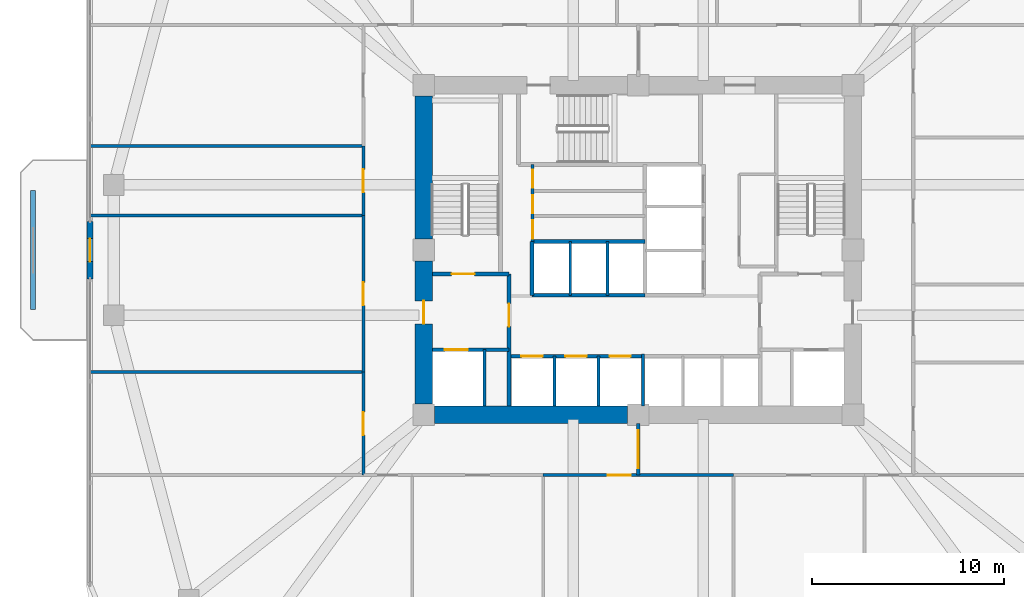
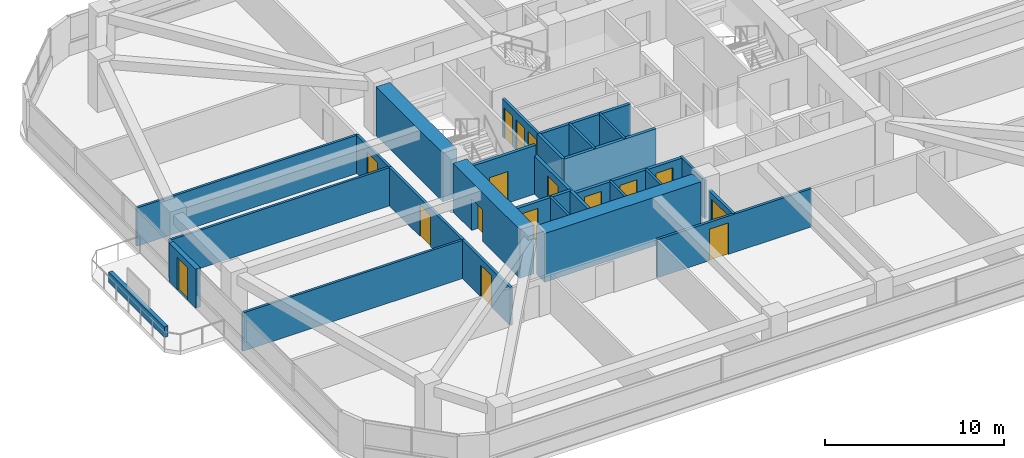
# One storey, part 10 of 15: 27 walls, 16 doors, 16 openings.
"""IFC4 building model written with IfcOpenShell, lengths in metres."""

from ifc_helpers import new_model, si_unit, derived_unit, direction, frame, frame_2d, origin, place, context, subcontext, project, spatial, rectangle, extrude, material, layer, layer_set, type_object, element, fill, save


model = new_model("IFC4")

# Units and contexts
model_context = context("Model", 3, precision=1e-05, world=origin(), true_north=direction((0.0, 1.0)))
body_context = subcontext(model_context, "Body", "Model", "MODEL_VIEW")
ifc_project = project(units=[si_unit("LENGTHUNIT", "METRE"), si_unit("AREAUNIT", "SQUARE_METRE"), si_unit("VOLUMEUNIT", "CUBIC_METRE"), si_unit("PLANEANGLEUNIT", "RADIAN"), si_unit("MASSUNIT", "GRAM", prefix="KILO"), derived_unit("THERMALTRANSMITTANCEUNIT", [(si_unit("POWERUNIT", "WATT"), 1), (si_unit("LENGTHUNIT", "METRE"), -2), (si_unit("THERMODYNAMICTEMPERATUREUNIT", "KELVIN"), -1)])], contexts=[model_context])

# Site, building, storey
site_placement = place(None, origin())
site = spatial("IfcSite", under=ifc_project, at=site_placement, CompositionType="ELEMENT")
building_placement = place(site_placement, origin())
building = spatial("IfcBuilding", under=site, at=building_placement, Name="Koralith Skygarden Medical Center", CompositionType="ELEMENT")
storey_placement = place(building_placement, frame((0.0, 0.0, 41.93994140625)))
storey = spatial("IfcBuildingStorey", under=building, at=storey_placement, Name="L10", CompositionType="ELEMENT", Elevation=41.93994140625)

# Walls
ifc_material_1 = material(Name="Gypsum Board Partition")
ifc_layer_1 = layer(ifc_material_1, 0.14990234375)
ifc_layer_set_1 = layer_set([ifc_layer_1], Name="Gypsum Board Partition")
wall_type_1 = type_object("IfcWallType", Name="Clinical Acoustic Partition 150", PredefinedType="PARTITIONING", material=ifc_layer_set_1)
for number, where, z_axis, x_axis, name in (
    (1, (22.64990234375, 19.527099609375, 0.0), (0.0, 0.0, 1.0), (-1.0, 0.0, 0.0), "L10 Clinical Acoustic Partition 150 W-PART-L10-W-01"),
    (2, (22.64990234375, 27.699951171875, 0.0), (0.0, 0.0, 1.0), (-1.0, 0.0, 0.0), "L10 Clinical Acoustic Partition 150 W-PART-L10-W-02"),
    (3, (22.64990234375, 31.3330078125, 0.0), (0.0, 0.0, 1.0), (-1.0, 0.0, 0.0), "L10 Clinical Acoustic Partition 150 W-PART-L10-W-03"),
):
    element("IfcWall", number, at=place(storey_placement, frame(where, z_axis=z_axis, x_axis=x_axis)), inside=storey, type_object=wall_type_1, Name=name, PredefinedType="PARTITIONING", context=body_context, shape_type="SweptSolid", body=[
        extrude(rectangle(XDim=14.25, YDim=0.14990234375, at=frame_2d((7.125, 0.0))), origin(), (0.0, 0.0, 1.0), 2.610107421875),
    ])

# Wall, opening, door
ifc_layer_2 = layer(ifc_material_1, 0.1650390625)
ifc_layer_set_2 = layer_set([ifc_layer_2], Name="Gypsum Board Partition")
wall_type_2 = type_object("IfcWallType", Name="Clinical Corridor Partition 165", PredefinedType="PARTITIONING", material=ifc_layer_set_2)
wall_1_placement = place(storey_placement, frame((32.035888671875, 14.14990234375, 0.0), z_axis=(0.0, 0.0, 1.0), x_axis=(1.0, 0.0, 0.0)))
wall_1 = element("IfcWall", 4, at=wall_1_placement, inside=storey, type_object=wall_type_2, Name="L10 Clinical Corridor Partition 165 W-CORR-L10-S-03", PredefinedType="PARTITIONING", context=body_context, shape_type="SweptSolid", body=[
    extrude(rectangle(XDim=9.92822265625, YDim=0.1650390625, at=frame_2d((4.964111328125, 0.0))), origin(), (0.0, 0.0, 1.0), 2.610107421875),
])
opening_1_placement = place(wall_1_placement, frame((3.35791015625, 0.0, 0.0)))
opening_1 = element("IfcOpeningElement", 5, at=opening_1_placement, cuts=wall_1, Name="Opening D-CLN", PredefinedType="OPENING", context=body_context, shape_type="SweptSolid", body=[
    extrude(rectangle(XDim=1.199951171875, YDim=2.14990234375, at=frame_2d((0.60009765625, 1.074951171875))), frame((0.0, 0.092529296875, 0.0), z_axis=(0.0, -1.0, 0.0), x_axis=(1.0, 0.0, 0.0)), (0.0, 0.0, 1.0), 0.18505859375),
])
ifc_material_2 = material(Name="Aluminium 6063-T6", Category="aluminium")
door_type_1 = type_object("IfcDoorType", Name="Clinical Corridor Door D-CLN 1200", OperationType="NOTDEFINED", PredefinedType="DOOR", material=ifc_material_2)
door_1_placement = place(opening_1_placement, frame((1.199951171875, 0.0, 0.0), z_axis=(0.0, 0.0, 1.0), x_axis=(-1.0, 0.0, 0.0)))
door_1 = element("IfcDoor", 6, at=door_1_placement, inside=storey, type_object=door_type_1, Name="L10 Clinical Consultation Office 08 Door", OperationType="SINGLE_SWING_LEFT", OverallHeight=2.14990234375, OverallWidth=1.199951171875, PredefinedType="DOOR", context=body_context, shape_type="SweptSolid", body=[
    extrude(rectangle(XDim=1.199951171875, YDim=2.14990234375, at=frame_2d((0.60009765625, 1.074951171875))), frame((0.0, 0.02490234375, 0.0), z_axis=(0.0, -1.0, 0.0), x_axis=(1.0, 0.0, 0.0)), (0.0, 0.0, 1.0), 0.050048828125),
])
fill(opening_1, door_1)

wall_2_placement = place(storey_placement, frame((22.64990234375, 14.14990234375, 0.0), z_axis=(0.0, 0.0, 1.0), x_axis=(0.0, 1.0, 0.0)))
wall_2 = element("IfcWall", 7, at=wall_2_placement, inside=storey, type_object=wall_type_2, Name="L10 Clinical Corridor Partition 165 W-CORR-L10-W-01", PredefinedType="PARTITIONING", context=body_context, shape_type="SweptSolid", body=[
    extrude(rectangle(XDim=5.377197265625, YDim=0.1650390625, at=frame_2d((2.6884765625, 0.0))), origin(), (0.0, 0.0, 1.0), 2.610107421875),
])
opening_2_placement = place(wall_2_placement, frame((2.089111328125, 0.0, 0.0)))
opening_2 = element("IfcOpeningElement", 8, at=opening_2_placement, cuts=wall_2, Name="Opening D-CLN", PredefinedType="OPENING", context=body_context, shape_type="SweptSolid", body=[
    extrude(rectangle(XDim=1.199951171875, YDim=2.14990234375, at=frame_2d((0.60009765625, 1.074951171875))), frame((0.0, 0.092529296875, 0.0), z_axis=(0.0, -1.0, 0.0), x_axis=(1.0, 0.0, 0.0)), (0.0, 0.0, 1.0), 0.18505859375),
])
door_2_placement = place(opening_2_placement, frame((1.199951171875, 0.0, 0.0), z_axis=(0.0, 0.0, 1.0), x_axis=(-1.0, 0.0, 0.0)))
door_2 = element("IfcDoor", 9, at=door_2_placement, inside=storey, type_object=door_type_1, Name="L10 Clean Linen Supply Store 11 Door", OperationType="SINGLE_SWING_RIGHT", OverallHeight=2.14990234375, OverallWidth=1.199951171875, PredefinedType="DOOR", context=body_context, shape_type="SweptSolid", body=[
    extrude(rectangle(XDim=1.199951171875, YDim=2.14990234375, at=frame_2d((0.60009765625, 1.074951171875))), frame((0.0, 0.02490234375, 0.0), z_axis=(0.0, -1.0, 0.0), x_axis=(1.0, 0.0, 0.0)), (0.0, 0.0, 1.0), 0.050048828125),
])
fill(opening_2, door_2)

wall_3_placement = place(storey_placement, frame((22.64990234375, 19.527099609375, 0.0), z_axis=(0.0, 0.0, 1.0), x_axis=(0.0, 1.0, 0.0)))
wall_3 = element("IfcWall", 10, at=wall_3_placement, inside=storey, type_object=wall_type_2, Name="L10 Clinical Corridor Partition 165 W-CORR-L10-W-02", PredefinedType="PARTITIONING", context=body_context, shape_type="SweptSolid", body=[
    extrude(rectangle(XDim=8.1728515625, YDim=0.1650390625, at=frame_2d((4.08642578125, 0.0))), origin(), (0.0, 0.0, 1.0), 2.610107421875),
])
opening_3_placement = place(wall_3_placement, frame((3.486083984375, 0.0, 0.0)))
opening_3 = element("IfcOpeningElement", 11, at=opening_3_placement, cuts=wall_3, Name="Opening D-CLN", PredefinedType="OPENING", context=body_context, shape_type="SweptSolid", body=[
    extrude(rectangle(XDim=1.199951171875, YDim=2.14990234375, at=frame_2d((0.60009765625, 1.074951171875))), frame((0.0, 0.092529296875, 0.0), z_axis=(0.0, -1.0, 0.0), x_axis=(1.0, 0.0, 0.0)), (0.0, 0.0, 1.0), 0.18505859375),
])
door_3_placement = place(opening_3_placement, frame((1.199951171875, 0.0, 0.0), z_axis=(0.0, 0.0, 1.0), x_axis=(-1.0, 0.0, 0.0)))
door_3 = element("IfcDoor", 12, at=door_3_placement, inside=storey, type_object=door_type_1, Name="L10 Patient and Family Sky-Garden Day Lounge 12 Door", OperationType="SINGLE_SWING_LEFT", OverallHeight=2.14990234375, OverallWidth=1.199951171875, PredefinedType="DOOR", context=body_context, shape_type="SweptSolid", body=[
    extrude(rectangle(XDim=1.199951171875, YDim=2.14990234375, at=frame_2d((0.60009765625, 1.074951171875))), frame((0.0, 0.02490234375, 0.0), z_axis=(0.0, -1.0, 0.0), x_axis=(1.0, 0.0, 0.0)), (0.0, 0.0, 1.0), 0.050048828125),
])
fill(opening_3, door_3)

wall_4_placement = place(storey_placement, frame((22.64990234375, 27.699951171875, 0.0), z_axis=(0.0, 0.0, 1.0), x_axis=(0.0, 1.0, 0.0)))
wall_4 = element("IfcWall", 13, at=wall_4_placement, inside=storey, type_object=wall_type_2, Name="L10 Clinical Corridor Partition 165 W-CORR-L10-W-03", PredefinedType="PARTITIONING", context=body_context, shape_type="SweptSolid", body=[
    extrude(rectangle(XDim=3.633056640625, YDim=0.1650390625, at=frame_2d((1.81640625, 0.0))), origin(), (0.0, 0.0, 1.0), 2.610107421875),
])
opening_4_placement = place(wall_4_placement, frame((1.216064453125, 0.0, 0.0)))
opening_4 = element("IfcOpeningElement", 14, at=opening_4_placement, cuts=wall_4, Name="Opening D-CLN", PredefinedType="OPENING", context=body_context, shape_type="SweptSolid", body=[
    extrude(rectangle(XDim=1.199951171875, YDim=2.14990234375, at=frame_2d((0.60009765625, 1.074951171875))), frame((0.0, 0.092529296875, 0.0), z_axis=(0.0, -1.0, 0.0), x_axis=(1.0, 0.0, 0.0)), (0.0, 0.0, 1.0), 0.18505859375),
])
door_4_placement = place(opening_4_placement, frame((1.199951171875, 0.0, 0.0), z_axis=(0.0, 0.0, 1.0), x_axis=(-1.0, 0.0, 0.0)))
door_4 = element("IfcDoor", 15, at=door_4_placement, inside=storey, type_object=door_type_1, Name="L10 Clinical Consultation Office 13 Door", OperationType="SINGLE_SWING_RIGHT", OverallHeight=2.14990234375, OverallWidth=1.199951171875, PredefinedType="DOOR", context=body_context, shape_type="SweptSolid", body=[
    extrude(rectangle(XDim=1.199951171875, YDim=2.14990234375, at=frame_2d((0.60009765625, 1.074951171875))), frame((0.0, 0.02490234375, 0.0), z_axis=(0.0, -1.0, 0.0), x_axis=(1.0, 0.0, 0.0)), (0.0, 0.0, 1.0), 0.050048828125),
])
fill(opening_4, door_4)

ifc_layer_3 = layer(ifc_material_1, 0.199951171875)
ifc_layer_set_3 = layer_set([ifc_layer_3], Name="Gypsum Board Partition")
wall_type_3 = type_object("IfcWallType", Name="Fire Shaft Wall 200", PredefinedType="SOLIDWALL", material=ifc_layer_set_3)
wall_5_placement = place(storey_placement, frame((26.25, 20.699951171875, 0.0), z_axis=(0.0, 0.0, 1.0), x_axis=(1.0, 0.0, 0.0)))
wall_5 = element("IfcWall", 16, at=wall_5_placement, inside=storey, type_object=wall_type_3, Name="L10 Fire Shaft Wall 200 W-CORE-L10-FF1-N", PredefinedType="SOLIDWALL", context=body_context, shape_type="SweptSolid", body=[
    extrude(rectangle(XDim=4.0, YDim=0.199951171875, at=frame_2d((2.0, 0.0))), origin(), (0.0, 0.0, 1.0), 2.610107421875),
])
opening_5_placement = place(wall_5_placement, frame((0.64990234375, 0.0, 0.0)))
opening_5 = element("IfcOpeningElement", 17, at=opening_5_placement, cuts=wall_5, Name="Opening LD-FF", PredefinedType="OPENING", context=body_context, shape_type="SweptSolid", body=[
    extrude(rectangle(XDim=1.199951171875, YDim=2.14990234375, at=frame_2d((0.60009765625, 1.074951171875))), frame((0.0, 0.10986328125, 0.0), z_axis=(0.0, -1.0, 0.0), x_axis=(1.0, 0.0, 0.0)), (0.0, 0.0, 1.0), 0.219970703125),
])
ifc_material_3 = material(Name="Steel ASTM A500 Grade C", Category="steel")
door_type_2 = type_object("IfcDoorType", Name="Fire Lift Sliding Landing Door LD-FF 1200", OperationType="NOTDEFINED", PredefinedType="DOOR", material=ifc_material_3)
door_5_placement = place(opening_5_placement, origin())
door_5 = element("IfcDoor", 18, at=door_5_placement, inside=storey, type_object=door_type_2, Name="L10 Fire Service Elevator FF1 Landing Door", OperationType="SLIDING_TO_LEFT", OverallHeight=2.14990234375, OverallWidth=1.199951171875, PredefinedType="DOOR", context=body_context, shape_type="SweptSolid", body=[
    extrude(rectangle(XDim=1.199951171875, YDim=2.14990234375, at=frame_2d((0.60009765625, 1.074951171875))), frame((0.0, 0.02490234375, 0.0), z_axis=(0.0, -1.0, 0.0), x_axis=(1.0, 0.0, 0.0)), (0.0, 0.0, 1.0), 0.050048828125),
])
fill(opening_5, door_5)

wall_6_placement = place(storey_placement, frame((30.25, 17.75, 0.0), z_axis=(0.0, 0.0, 1.0), x_axis=(0.0, 1.0, 0.0)))
wall_6 = element("IfcWall", 19, at=wall_6_placement, inside=storey, type_object=wall_type_3, Name="L10 Fire Shaft Wall 200 W-CORE-L10-FSAEW-E", PredefinedType="SOLIDWALL", context=body_context, shape_type="SweptSolid", body=[
    extrude(rectangle(XDim=6.89990234375, YDim=0.199951171875, at=frame_2d((3.449951171875, 0.0))), origin(), (0.0, 0.0, 1.0), 2.610107421875),
])
opening_6_placement = place(wall_6_placement, frame((4.14990234375, 0.0, 0.0)))
opening_6 = element("IfcOpeningElement", 20, at=opening_6_placement, cuts=wall_6, Name="Opening D-ST60", PredefinedType="OPENING", context=body_context, shape_type="SweptSolid", body=[
    extrude(rectangle(XDim=1.199951171875, YDim=2.14990234375, at=frame_2d((0.60009765625, 1.074951171875))), frame((0.0, 0.10986328125, 0.0), z_axis=(0.0, -1.0, 0.0), x_axis=(1.0, 0.0, 0.0)), (0.0, 0.0, 1.0), 0.219970703125),
])
door_type_3 = type_object("IfcDoorType", Name="Smokeproof Stair Fire Door FD60S 1200", OperationType="NOTDEFINED", PredefinedType="DOOR", material=ifc_material_3)
door_6_placement = place(opening_6_placement, origin())
door_6 = element("IfcDoor", 21, at=door_6_placement, inside=storey, type_object=door_type_3, Name="L10 West Firefighting Lobby Inner Fire Door", OperationType="SINGLE_SWING_LEFT", OverallHeight=2.14990234375, OverallWidth=1.199951171875, PredefinedType="DOOR", context=body_context, shape_type="SweptSolid", body=[
    extrude(rectangle(XDim=1.199951171875, YDim=2.14990234375, at=frame_2d((0.60009765625, 1.074951171875))), frame((0.0, 0.02490234375, 0.0), z_axis=(0.0, -1.0, 0.0), x_axis=(1.0, 0.0, 0.0)), (0.0, 0.0, 1.0), 0.050048828125),
])
fill(opening_6, door_6)

# Wall, openings, doors
wall_7_placement = place(storey_placement, frame((30.25, 20.360107421875, 0.0), z_axis=(0.0, 0.0, 1.0), x_axis=(1.0, 0.0, 0.0)))
wall_7 = element("IfcWall", 22, at=wall_7_placement, inside=storey, type_object=wall_type_3, Name="L10 Fire Shaft Wall 200 W-CORE-L10-PL-N", PredefinedType="SOLIDWALL", context=body_context, shape_type="SweptSolid", body=[
    extrude(rectangle(XDim=7.0, YDim=0.199951171875, at=frame_2d((3.5, 0.0))), origin(), (0.0, 0.0, 1.0), 2.610107421875),
])
opening_7_placement = place(wall_7_placement, frame((0.64990234375, 0.0, 0.0)))
opening_7 = element("IfcOpeningElement", 23, at=opening_7_placement, cuts=wall_7, Name="Opening LD-P", PredefinedType="OPENING", context=body_context, shape_type="SweptSolid", body=[
    extrude(rectangle(XDim=1.10009765625, YDim=2.14990234375, at=frame_2d((0.550048828125, 1.074951171875))), frame((0.0, 0.10986328125, 0.0), z_axis=(0.0, -1.0, 0.0), x_axis=(1.0, 0.0, 0.0)), (0.0, 0.0, 1.0), 0.219970703125),
])
opening_8_placement = place(wall_7_placement, frame((2.949951171875, 0.0, 0.0)))
opening_8 = element("IfcOpeningElement", 24, at=opening_8_placement, cuts=wall_7, Name="Opening LD-P", PredefinedType="OPENING", context=body_context, shape_type="SweptSolid", body=[
    extrude(rectangle(XDim=1.10009765625, YDim=2.14990234375, at=frame_2d((0.550048828125, 1.074951171875))), frame((0.0, 0.10986328125, 0.0), z_axis=(0.0, -1.0, 0.0), x_axis=(1.0, 0.0, 0.0)), (0.0, 0.0, 1.0), 0.219970703125),
])
opening_9_placement = place(wall_7_placement, frame((5.25, 0.0, 0.0)))
opening_9 = element("IfcOpeningElement", 25, at=opening_9_placement, cuts=wall_7, Name="Opening LD-P", PredefinedType="OPENING", context=body_context, shape_type="SweptSolid", body=[
    extrude(rectangle(XDim=1.10009765625, YDim=2.14990234375, at=frame_2d((0.550048828125, 1.074951171875))), frame((0.0, 0.10986328125, 0.0), z_axis=(0.0, -1.0, 0.0), x_axis=(1.0, 0.0, 0.0)), (0.0, 0.0, 1.0), 0.219970703125),
])
door_type_4 = type_object("IfcDoorType", Name="Passenger Lift Sliding Landing Door LD-P 1100", OperationType="NOTDEFINED", PredefinedType="DOOR", material=ifc_material_3)
door_7_placement = place(opening_7_placement, origin())
door_7 = element("IfcDoor", 26, at=door_7_placement, inside=storey, type_object=door_type_4, Name="L10 Passenger Elevator PL1 Landing Door", OperationType="SLIDING_TO_LEFT", OverallHeight=2.14990234375, OverallWidth=1.10009765625, PredefinedType="DOOR", context=body_context, shape_type="SweptSolid", body=[
    extrude(rectangle(XDim=1.10009765625, YDim=2.14990234375, at=frame_2d((0.550048828125, 1.074951171875))), frame((0.0, 0.02490234375, 0.0), z_axis=(0.0, -1.0, 0.0), x_axis=(1.0, 0.0, 0.0)), (0.0, 0.0, 1.0), 0.050048828125),
])
fill(opening_7, door_7)
door_8_placement = place(opening_8_placement, origin())
door_8 = element("IfcDoor", 27, at=door_8_placement, inside=storey, type_object=door_type_4, Name="L10 Passenger Elevator PL2 Landing Door", OperationType="SLIDING_TO_LEFT", OverallHeight=2.14990234375, OverallWidth=1.10009765625, PredefinedType="DOOR", context=body_context, shape_type="SweptSolid", body=[
    extrude(rectangle(XDim=1.10009765625, YDim=2.14990234375, at=frame_2d((0.550048828125, 1.074951171875))), frame((0.0, 0.02490234375, 0.0), z_axis=(0.0, -1.0, 0.0), x_axis=(1.0, 0.0, 0.0)), (0.0, 0.0, 1.0), 0.050048828125),
])
fill(opening_8, door_8)
door_9_placement = place(opening_9_placement, origin())
door_9 = element("IfcDoor", 28, at=door_9_placement, inside=storey, type_object=door_type_4, Name="L10 Passenger Elevator PL3 Landing Door", OperationType="SLIDING_TO_LEFT", OverallHeight=2.14990234375, OverallWidth=1.10009765625, PredefinedType="DOOR", context=body_context, shape_type="SweptSolid", body=[
    extrude(rectangle(XDim=1.10009765625, YDim=2.14990234375, at=frame_2d((0.550048828125, 1.074951171875))), frame((0.0, 0.02490234375, 0.0), z_axis=(0.0, -1.0, 0.0), x_axis=(1.0, 0.0, 0.0)), (0.0, 0.0, 1.0), 0.050048828125),
])
fill(opening_9, door_9)

# Walls
for number, where, z_axis, x_axis, name in (
    (29, (31.449951171875, 23.5400390625, 0.0), (0.0, 0.0, 1.0), (1.0, 0.0, 0.0), "L10 Fire Shaft Wall 200 W-CORE-L10-PH-S"),
    (30, (31.449951171875, 26.35009765625, 0.0), (0.0, 0.0, 1.0), (1.0, 0.0, 0.0), "L10 Fire Shaft Wall 200 W-CORE-L10-PH-N"),
):
    element("IfcWall", number, at=place(storey_placement, frame(where, z_axis=z_axis, x_axis=x_axis)), inside=storey, type_object=wall_type_3, Name=name, PredefinedType="SOLIDWALL", context=body_context, shape_type="SweptSolid", body=[
        extrude(rectangle(XDim=5.900146484375, YDim=0.199951171875, at=frame_2d((2.9501953125, 0.0))), origin(), (0.0, 0.0, 1.0), 2.610107421875),
    ])
wall_8_placement = place(storey_placement, frame((31.449951171875, 23.5400390625, 0.0), z_axis=(0.0, 0.0, 1.0), x_axis=(0.0, 1.0, 0.0)))
element("IfcWall", 31, at=wall_8_placement, inside=storey, type_object=wall_type_3, Name="L10 Fire Shaft Wall 200 W-CORE-L10-PH-W", PredefinedType="SOLIDWALL", context=body_context, shape_type="SweptSolid", body=[
    extrude(rectangle(XDim=2.81005859375, YDim=0.199951171875, at=frame_2d((1.405029296875, 0.0))), origin(), (0.0, 0.0, 1.0), 2.610107421875),
])

# Wall, opening, door
ifc_layer_4 = layer(ifc_material_1, 0.179931640625)
ifc_layer_set_4 = layer_set([ifc_layer_4], Name="Gypsum Board Partition")
wall_type_4 = type_object("IfcWallType", Name="Group I-2 Smoke Barrier Wall 180", PredefinedType="PARTITIONING", material=ifc_layer_set_4)
wall_9_placement = place(storey_placement, frame((37.0, 14.14990234375, 0.0), z_axis=(0.0, 0.0, 1.0), x_axis=(0.0, 1.0, 0.0)))
wall_9 = element("IfcWall", 32, at=wall_9_placement, inside=storey, type_object=wall_type_4, Name="L10 Group I-2 Smoke Barrier Wall 180 W-SMK-L10-S", PredefinedType="PARTITIONING", context=body_context, shape_type="SweptSolid", body=[
    extrude(rectangle(XDim=2.7001953125, YDim=0.179931640625, at=frame_2d((1.35009765625, 0.0))), origin(), (0.0, 0.0, 1.0), 2.610107421875),
])
opening_10_placement = place(wall_9_placement, frame((0.35009765625, 0.0, 0.0)))
opening_10 = element("IfcOpeningElement", 33, at=opening_10_placement, cuts=wall_9, Name="Opening D-SMK", PredefinedType="OPENING", context=body_context, shape_type="SweptSolid", body=[
    extrude(rectangle(XDim=2.0, YDim=2.199951171875, at=frame_2d((1.0, 1.10009765625))), frame((0.0, 0.099853515625, 0.0), z_axis=(0.0, -1.0, 0.0), x_axis=(1.0, 0.0, 0.0)), (0.0, 0.0, 1.0), 0.199951171875),
])
door_type_5 = type_object("IfcDoorType", Name="Cross-Corridor Double Smoke Door FD60S 2000", OperationType="NOTDEFINED", PredefinedType="DOOR", material=ifc_material_3)
door_10_placement = place(opening_10_placement, frame((2.0, 0.0, 0.0), z_axis=(0.0, 0.0, 1.0), x_axis=(-1.0, 0.0, 0.0)))
door_10 = element("IfcDoor", 34, at=door_10_placement, inside=storey, type_object=door_type_5, Name="L10 S Smoke Compartment Cross-Corridor Door", OperationType="DOUBLE_DOOR_SINGLE_SWING", OverallHeight=2.199951171875, OverallWidth=2.0, PredefinedType="DOOR", context=body_context, shape_type="SweptSolid", body=[
    extrude(rectangle(XDim=2.0, YDim=2.199951171875, at=frame_2d((1.0, 1.10009765625))), frame((0.0, 0.02490234375, 0.0), z_axis=(0.0, -1.0, 0.0), x_axis=(1.0, 0.0, 0.0)), (0.0, 0.0, 1.0), 0.050048828125),
])
fill(opening_10, door_10)

# Walls
ifc_material_4 = material(Name="Concrete C70/85", Category="concrete")
ifc_layer_5 = layer(ifc_material_4, 0.89990234375)
ifc_layer_set_5 = layer_set([ifc_layer_5], Name="Concrete C70/85")
wall_type_5 = type_object("IfcWallType", Name="Lower Core Shear Wall 900", PredefinedType="SHEAR", material=ifc_layer_set_5)
wall_10_placement = place(storey_placement, frame((26.364990234375, 17.300048828125, 0.0), z_axis=(0.0, 0.0, 1.0), x_axis=(1.0, 0.0, 0.0)))
element("IfcWall", 35, at=wall_10_placement, inside=storey, type_object=wall_type_5, Name="L10 Core Shear Wall Segment 1", PredefinedType="SHEAR", context=body_context, shape_type="SweptSolid", body=[
    extrude(rectangle(XDim=10.070068359375, YDim=0.89990234375, at=frame_2d((5.03515625, 0.0))), origin(), (0.0, 0.0, 1.0), 3.320068359375),
])
wall_11_placement = place(storey_placement, frame((25.800048828125, 33.93505859375, 0.0), z_axis=(0.0, 0.0, 1.0), x_axis=(0.0, -1.0, 0.0)))
element("IfcWall", 36, at=wall_11_placement, inside=storey, type_object=wall_type_5, Name="L10 Core Shear Wall Segment 7", PredefinedType="SHEAR", context=body_context, shape_type="SweptSolid", body=[
    extrude(rectangle(XDim=7.469970703125, YDim=0.89990234375, at=frame_2d((3.73486328125, 0.0))), origin(), (0.0, 0.0, 1.0), 3.320068359375),
])

# Wall, opening, door
wall_12_placement = place(storey_placement, frame((25.800048828125, 25.3349609375, 0.0), z_axis=(0.0, 0.0, 1.0), x_axis=(0.0, -1.0, 0.0)))
wall_12 = element("IfcWall", 37, at=wall_12_placement, inside=storey, type_object=wall_type_5, Name="L10 Core Shear Wall Segment 8", PredefinedType="SHEAR", context=body_context, shape_type="SweptSolid", body=[
    extrude(rectangle(XDim=7.469970703125, YDim=0.89990234375, at=frame_2d((3.73486328125, 0.0))), origin(), (0.0, 0.0, 1.0), 3.320068359375),
])
opening_11_placement = place(wall_12_placement, frame((2.0849609375, 0.0, 0.0)))
opening_11 = element("IfcOpeningElement", 38, at=opening_11_placement, cuts=wall_12, Name="Opening D-ST60", PredefinedType="OPENING", context=body_context, shape_type="SweptSolid", body=[
    extrude(rectangle(XDim=1.199951171875, YDim=2.14990234375, at=frame_2d((0.60009765625, 1.074951171875))), frame((0.0, 0.4599609375, 0.0), z_axis=(0.0, -1.0, 0.0), x_axis=(1.0, 0.0, 0.0)), (0.0, 0.0, 1.0), 0.919921875),
])
door_11_placement = place(opening_11_placement, frame((1.199951171875, 0.0, 0.0), z_axis=(0.0, 0.0, 1.0), x_axis=(-1.0, 0.0, 0.0)))
door_11 = element("IfcDoor", 39, at=door_11_placement, inside=storey, type_object=door_type_3, Name="L10 West Corridor to Firefighting Lobby Door", OperationType="SINGLE_SWING_LEFT", OverallHeight=2.14990234375, OverallWidth=1.199951171875, PredefinedType="DOOR", context=body_context, shape_type="SweptSolid", body=[
    extrude(rectangle(XDim=1.199951171875, YDim=2.14990234375, at=frame_2d((0.60009765625, 1.074951171875))), frame((0.0, 0.02490234375, 0.0), z_axis=(0.0, -1.0, 0.0), x_axis=(1.0, 0.0, 0.0)), (0.0, 0.0, 1.0), 0.050048828125),
])
fill(opening_11, door_11)

ifc_material_5 = material(Name="Warm Oolitic Limestone Cladding", Category="masonry")
ifc_layer_6 = layer(ifc_material_5, 0.300048828125)
ifc_layer_set_6 = layer_set([ifc_layer_6], Name="Warm Oolitic Limestone Cladding")
wall_type_6 = type_object("IfcWallType", Name="Oolitic Limestone Insulated Facade Wall 300", PredefinedType="SOLIDWALL", material=ifc_layer_set_6)
wall_13_placement = place(storey_placement, frame((8.3798828125, 27.39990234375, 0.0), z_axis=(0.0, 0.0, 1.0), x_axis=(0.0, -1.0, 0.0)))
wall_13 = element("IfcWall", 40, at=wall_13_placement, inside=storey, type_object=wall_type_6, Name="L10 Terrace Portal Wall W", PredefinedType="SOLIDWALL", context=body_context, shape_type="SweptSolid", body=[
    extrude(rectangle(XDim=3.0, YDim=0.300048828125, at=frame_2d((1.5, 0.0))), origin(), (0.0, 0.0, 1.0), 2.650146484375),
])
opening_12_placement = place(wall_13_placement, frame((0.89990234375, 0.0, 0.0)))
opening_12 = element("IfcOpeningElement", 41, at=opening_12_placement, cuts=wall_13, Name="Opening D-BAL", PredefinedType="OPENING", context=body_context, shape_type="SweptSolid", body=[
    extrude(rectangle(XDim=1.199951171875, YDim=2.199951171875, at=frame_2d((0.60009765625, 1.10009765625))), frame((0.0, 0.159912109375, 0.0), z_axis=(0.0, -1.0, 0.0), x_axis=(1.0, 0.0, 0.0)), (0.0, 0.0, 1.0), 0.320068359375),
])
door_type_6 = type_object("IfcDoorType", Name="Planted Balcony Glazed Terrace Door D-BAL 1200", OperationType="NOTDEFINED", PredefinedType="DOOR", material=ifc_material_2)
door_12_placement = place(opening_12_placement, origin())
door_12 = element("IfcDoor", 42, at=door_12_placement, inside=storey, type_object=door_type_6, Name="L10 W Outdoor Terrace Access Door", OperationType="SINGLE_SWING_LEFT", OverallHeight=2.199951171875, OverallWidth=1.199951171875, PredefinedType="DOOR", context=body_context, shape_type="SweptSolid", body=[
    extrude(rectangle(XDim=1.199951171875, YDim=2.199951171875, at=frame_2d((0.60009765625, 1.10009765625))), frame((0.0, 0.02490234375, 0.0), z_axis=(0.0, -1.0, 0.0), x_axis=(1.0, 0.0, 0.0)), (0.0, 0.0, 1.0), 0.050048828125),
])
fill(opening_12, door_12)

# Wall, openings, doors
ifc_layer_7 = layer(ifc_material_1, 0.1650390625)
ifc_layer_set_7 = layer_set([ifc_layer_7], Name="Gypsum Board Partition")
wall_type_7 = type_object("IfcWallType", Name="Plumbing Wet Wall 165", PredefinedType="PLUMBINGWALL", material=ifc_layer_set_7)
wall_14_placement = place(storey_placement, frame((31.47998046875, 26.320068359375, 0.0), z_axis=(0.0, 0.0, 1.0), x_axis=(0.0, 1.0, 0.0)))
wall_14 = element("IfcWall", 43, at=wall_14_placement, inside=storey, type_object=wall_type_7, Name="L10 Plumbing Wet Wall 165 W-CORE-L10-FLEX-W", PredefinedType="PLUMBINGWALL", context=body_context, shape_type="SweptSolid", body=[
    extrude(rectangle(XDim=4.0400390625, YDim=0.1650390625, at=frame_2d((2.02001953125, 0.0))), origin(), (0.0, 0.0, 1.0), 2.610107421875),
])
opening_13_placement = place(wall_14_placement, frame((0.179931640625, 0.0, 0.0)))
opening_13 = element("IfcOpeningElement", 44, at=opening_13_placement, cuts=wall_14, Name="Opening D-WC", PredefinedType="OPENING", context=body_context, shape_type="SweptSolid", body=[
    extrude(rectangle(XDim=0.949951171875, YDim=2.10009765625, at=frame_2d((0.47509765625, 1.050048828125))), frame((0.0, 0.092529296875, 0.0), z_axis=(0.0, -1.0, 0.0), x_axis=(1.0, 0.0, 0.0)), (0.0, 0.0, 1.0), 0.18505859375),
])
opening_14_placement = place(wall_14_placement, frame((1.5, 0.0, 0.0)))
opening_14 = element("IfcOpeningElement", 45, at=opening_14_placement, cuts=wall_14, Name="Opening D-WC", PredefinedType="OPENING", context=body_context, shape_type="SweptSolid", body=[
    extrude(rectangle(XDim=0.949951171875, YDim=2.10009765625, at=frame_2d((0.47509765625, 1.050048828125))), frame((0.0, 0.092529296875, 0.0), z_axis=(0.0, -1.0, 0.0), x_axis=(1.0, 0.0, 0.0)), (0.0, 0.0, 1.0), 0.18505859375),
])
opening_15_placement = place(wall_14_placement, frame((2.820068359375, 0.0, 0.0)))
opening_15 = element("IfcOpeningElement", 46, at=opening_15_placement, cuts=wall_14, Name="Opening D-WC", PredefinedType="OPENING", context=body_context, shape_type="SweptSolid", body=[
    extrude(rectangle(XDim=0.949951171875, YDim=2.10009765625, at=frame_2d((0.47509765625, 1.050048828125))), frame((0.0, 0.092529296875, 0.0), z_axis=(0.0, -1.0, 0.0), x_axis=(1.0, 0.0, 0.0)), (0.0, 0.0, 1.0), 0.18505859375),
])
door_type_7 = type_object("IfcDoorType", Name="Accessible Toilet Door D-WC 950", OperationType="NOTDEFINED", PredefinedType="DOOR", material=ifc_material_2)
door_13_placement = place(opening_13_placement, frame((0.949951171875, 0.0, 0.0), z_axis=(0.0, 0.0, 1.0), x_axis=(-1.0, 0.0, 0.0)))
door_13 = element("IfcDoor", 47, at=door_13_placement, inside=storey, type_object=door_type_7, Name="L10 Core Accessible WC Door", OperationType="SINGLE_SWING_LEFT", OverallHeight=2.10009765625, OverallWidth=0.949951171875, PredefinedType="DOOR", context=body_context, shape_type="SweptSolid", body=[
    extrude(rectangle(XDim=0.949951171875, YDim=2.10009765625, at=frame_2d((0.47509765625, 1.050048828125))), frame((0.0, 0.02490234375, 0.0), z_axis=(0.0, -1.0, 0.0), x_axis=(1.0, 0.0, 0.0)), (0.0, 0.0, 1.0), 0.050048828125),
])
fill(opening_13, door_13)
door_14_placement = place(opening_14_placement, frame((0.949951171875, 0.0, 0.0), z_axis=(0.0, 0.0, 1.0), x_axis=(-1.0, 0.0, 0.0)))
door_14 = element("IfcDoor", 48, at=door_14_placement, inside=storey, type_object=door_type_7, Name="L10 Staff Pantry Door", OperationType="SINGLE_SWING_LEFT", OverallHeight=2.10009765625, OverallWidth=0.949951171875, PredefinedType="DOOR", context=body_context, shape_type="SweptSolid", body=[
    extrude(rectangle(XDim=0.949951171875, YDim=2.10009765625, at=frame_2d((0.47509765625, 1.050048828125))), frame((0.0, 0.02490234375, 0.0), z_axis=(0.0, -1.0, 0.0), x_axis=(1.0, 0.0, 0.0)), (0.0, 0.0, 1.0), 0.050048828125),
])
fill(opening_14, door_14)
door_15_placement = place(opening_15_placement, frame((0.949951171875, 0.0, 0.0), z_axis=(0.0, 0.0, 1.0), x_axis=(-1.0, 0.0, 0.0)))
door_15 = element("IfcDoor", 49, at=door_15_placement, inside=storey, type_object=door_type_7, Name="L10 IT Comms Door", OperationType="SINGLE_SWING_RIGHT", OverallHeight=2.10009765625, OverallWidth=0.949951171875, PredefinedType="DOOR", context=body_context, shape_type="SweptSolid", body=[
    extrude(rectangle(XDim=0.949951171875, YDim=2.10009765625, at=frame_2d((0.47509765625, 1.050048828125))), frame((0.0, 0.02490234375, 0.0), z_axis=(0.0, -1.0, 0.0), x_axis=(1.0, 0.0, 0.0)), (0.0, 0.0, 1.0), 0.050048828125),
])
fill(opening_15, door_15)

# Walls
ifc_layer_8 = layer(ifc_material_1, 0.14990234375)
ifc_layer_set_8 = layer_set([ifc_layer_8], Name="Gypsum Board Partition")
wall_type_8 = type_object("IfcWallType", Name="Shaft Partition Wall 150", PredefinedType="PARTITIONING", material=ifc_layer_set_8)
wall_15_placement = place(storey_placement, frame((28.969970703125, 17.75, 0.0), z_axis=(0.0, 0.0, 1.0), x_axis=(0.0, 1.0, 0.0)))
element("IfcWall", 50, at=wall_15_placement, inside=storey, type_object=wall_type_8, Name="L10 Shaft Partition Wall 150 W-CORE-L10-RSRW-DIV", PredefinedType="PARTITIONING", context=body_context, shape_type="SweptSolid", body=[
    extrude(rectangle(XDim=2.949951171875, YDim=0.14990234375, at=frame_2d((1.47509765625, 0.0))), origin(), (0.0, 0.0, 1.0), 2.610107421875),
])
for number, where, z_axis, x_axis, name in (
    (51, (32.6201171875, 17.75, 0.0), (0.0, 0.0, 1.0), (0.0, 1.0, 0.0), "L10 Shaft Partition Wall 150 W-CORE-L10-PL-D1"),
    (52, (34.919921875, 17.75, 0.0), (0.0, 0.0, 1.0), (0.0, 1.0, 0.0), "L10 Shaft Partition Wall 150 W-CORE-L10-PL-D2"),
):
    element("IfcWall", number, at=place(storey_placement, frame(where, z_axis=z_axis, x_axis=x_axis)), inside=storey, type_object=wall_type_8, Name=name, PredefinedType="PARTITIONING", context=body_context, shape_type="SweptSolid", body=[
        extrude(rectangle(XDim=2.610107421875, YDim=0.14990234375, at=frame_2d((1.30517578125, 0.0))), origin(), (0.0, 0.0, 1.0), 2.610107421875),
    ])
wall_16_placement = place(storey_placement, frame((37.25, 17.75, 0.0), z_axis=(0.0, 0.0, 1.0), x_axis=(0.0, 1.0, 0.0)))
element("IfcWall", 53, at=wall_16_placement, inside=storey, type_object=wall_type_8, Name="L10 Shaft Partition Wall 150 W-CORE-L10-PL-PM-SEP", PredefinedType="PARTITIONING", context=body_context, shape_type="SweptSolid", body=[
    extrude(rectangle(XDim=2.72998046875, YDim=0.14990234375, at=frame_2d((1.364990234375, 0.0))), origin(), (0.0, 0.0, 1.0), 2.610107421875),
])
for number, where, z_axis, x_axis, name in (
    (54, (33.449951171875, 23.5400390625, 0.0), (0.0, 0.0, 1.0), (0.0, 1.0, 0.0), "L10 Shaft Partition Wall 150 W-CORE-L10-PH-D1"),
    (55, (35.39990234375, 23.5400390625, 0.0), (0.0, 0.0, 1.0), (0.0, 1.0, 0.0), "L10 Shaft Partition Wall 150 W-CORE-L10-PH-D2"),
):
    element("IfcWall", number, at=place(storey_placement, frame(where, z_axis=z_axis, x_axis=x_axis)), inside=storey, type_object=wall_type_8, Name=name, PredefinedType="PARTITIONING", context=body_context, shape_type="SweptSolid", body=[
        extrude(rectangle(XDim=2.81005859375, YDim=0.14990234375, at=frame_2d((1.405029296875, 0.0))), origin(), (0.0, 0.0, 1.0), 2.610107421875),
    ])
ifc_material_6 = material(Name="Precast concrete C40/50", Category="concrete")
ifc_layer_9 = layer(ifc_material_6, 0.25)
ifc_layer_set_9 = layer_set([ifc_layer_9], Name="Precast concrete C40/50")
wall_type_9 = type_object("IfcWallType", Name="Structural Concrete Balcony Planter Kerb 250", PredefinedType="PARAPET", material=ifc_layer_set_9)
wall_17_placement = place(storey_placement, frame((5.39990234375, 22.800048828125, 0.0), z_axis=(0.0, 0.0, 1.0), x_axis=(0.0, 1.0, 0.0)))
element("IfcWall", 56, at=wall_17_placement, inside=storey, type_object=wall_type_9, Name="L10 W Structural Tree PLANTER Box", PredefinedType="PARAPET", context=body_context, shape_type="SweptSolid", body=[
    extrude(rectangle(XDim=6.199951171875, YDim=0.25, at=frame_2d((3.10009765625, 0.0))), origin(), (0.0, 0.0, 1.0), 0.719970703125),
])

# Wall, opening, door
ifc_material_7 = material(Name="Concrete C45/55", Category="concrete")
ifc_layer_10 = layer(ifc_material_7, 0.199951171875)
ifc_layer_set_10 = layer_set([ifc_layer_10], Name="Concrete C45/55")
wall_type_10 = type_object("IfcWallType", Name="Structural Stair Shaft Wall 200", PredefinedType="SHEAR", material=ifc_layer_set_10)
wall_18_placement = place(storey_placement, frame((26.25, 24.64990234375, 0.0), z_axis=(0.0, 0.0, 1.0), x_axis=(1.0, 0.0, 0.0)))
wall_18 = element("IfcWall", 57, at=wall_18_placement, inside=storey, type_object=wall_type_10, Name="L10 Structural Stair Shaft Wall 200 W-CORE-L10-ST1-S", PredefinedType="SHEAR", context=body_context, shape_type="SweptSolid", body=[
    extrude(rectangle(XDim=4.0, YDim=0.199951171875, at=frame_2d((2.0, 0.0))), origin(), (0.0, 0.0, 1.0), 3.320068359375),
])
opening_16_placement = place(wall_18_placement, frame((1.0, 0.0, 0.0)))
opening_16 = element("IfcOpeningElement", 58, at=opening_16_placement, cuts=wall_18, Name="Opening D-ST60", PredefinedType="OPENING", context=body_context, shape_type="SweptSolid", body=[
    extrude(rectangle(XDim=1.199951171875, YDim=2.14990234375, at=frame_2d((0.60009765625, 1.074951171875))), frame((0.0, 0.10986328125, 0.0), z_axis=(0.0, -1.0, 0.0), x_axis=(1.0, 0.0, 0.0)), (0.0, 0.0, 1.0), 0.219970703125),
])
door_16_placement = place(opening_16_placement, origin())
door_16 = element("IfcDoor", 59, at=door_16_placement, inside=storey, type_object=door_type_3, Name="L10 Exit Stair ST1 Fire Door", OperationType="SINGLE_SWING_LEFT", OverallHeight=2.14990234375, OverallWidth=1.199951171875, PredefinedType="DOOR", context=body_context, shape_type="SweptSolid", body=[
    extrude(rectangle(XDim=1.199951171875, YDim=2.14990234375, at=frame_2d((0.60009765625, 1.074951171875))), frame((0.0, 0.02490234375, 0.0), z_axis=(0.0, -1.0, 0.0), x_axis=(1.0, 0.0, 0.0)), (0.0, 0.0, 1.0), 0.050048828125),
])
fill(opening_16, door_16)

save(model, "model.ifc")
